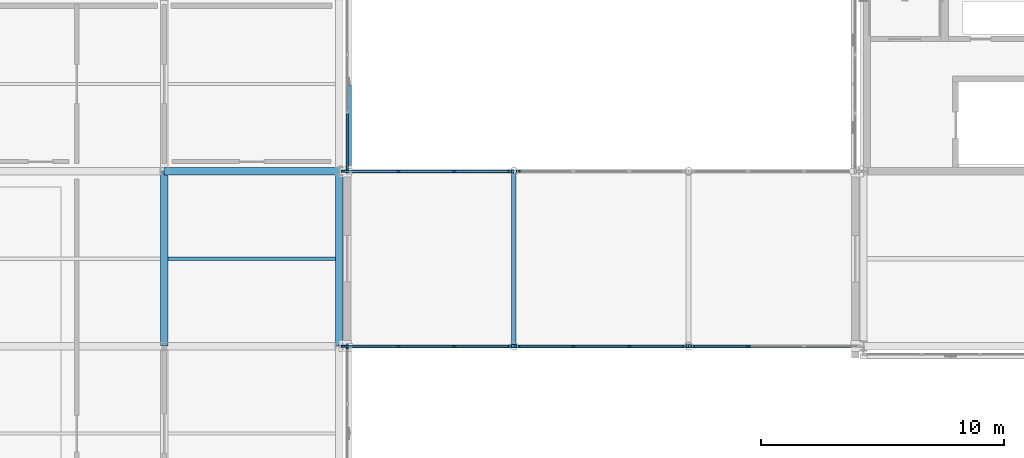
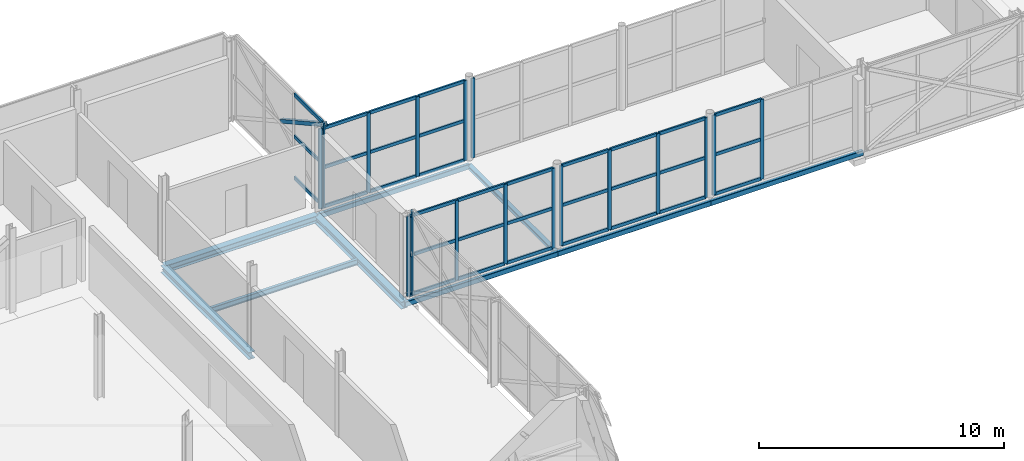
# One storey, part 45 of 126: 51 members, 9 beams, 7 elements without a shape of their own.
"""IFC4 building model written with IfcOpenShell, lengths in metres."""

from ifc_helpers import new_model, si_unit, direction, frame, origin, origin_2d, place, context, subcontext, project, spatial, rectangle, hollow_rectangle, i_section, extrude, material, material_profile, profile_set, type_object, element, aggregate, save


model = new_model("IFC4")

# Units and contexts
model_context = context("Model", 3, precision=1e-05, world=origin(), true_north=direction((0.0, 1.0)))
body_context = subcontext(model_context, "Body", "Model", "MODEL_VIEW")
ifc_project = project(units=[si_unit("LENGTHUNIT", "METRE"), si_unit("AREAUNIT", "SQUARE_METRE"), si_unit("VOLUMEUNIT", "CUBIC_METRE"), si_unit("PLANEANGLEUNIT", "RADIAN"), si_unit("MASSUNIT", "GRAM", prefix="KILO")], contexts=[model_context])

# Site, building, storey
site_placement = place(None, origin())
site = spatial("IfcSite", under=ifc_project, at=site_placement, CompositionType="ELEMENT")
building_placement = place(site_placement, origin())
building = spatial("IfcBuilding", under=site, at=building_placement, Name="Zlatovets Crest Museum", CompositionType="ELEMENT")
storey_placement = place(building_placement, frame((0.0, 0.0, 8.699951171875)))
storey = spatial("IfcBuildingStorey", under=building, at=storey_placement, Name="L02", CompositionType="ELEMENT", Elevation=8.699951171875)

# Beams
ifc_material_1 = material(Name="Structural steel S355J2", Category="steel")
ifc_material_profile_1 = material_profile(ifc_material_1, i_section(OverallWidth=0.300048828125, OverallDepth=0.35009765625, WebThickness=0.010009765625, FlangeThickness=0.017578125, FilletRadius=0.027099609375, at=origin_2d()), Name="HEA 360")
ifc_profile_set_1 = profile_set([ifc_material_profile_1], Name="Structural steel S355J2")
beam_type_1 = type_object("IfcBeamType", Name="Beam_B-03", PredefinedType="BEAM", material=ifc_profile_set_1)
beam_1_placement = place(storey_placement, frame((28.800048828125, 93.60009765625, -0.39501953125), z_axis=(1.0, 0.0, 0.0), x_axis=(0.0, 1.0, 0.0)))
element("IfcBeam", 1, at=beam_1_placement, inside=storey, type_object=beam_type_1, Name="V4 L02 Primary Girder B-03", PredefinedType="BEAM", context=body_context, shape_type="SweptSolid", body=[
    extrude(i_section(OverallWidth=0.300048828125, OverallDepth=0.35009765625, WebThickness=0.010009765625, FlangeThickness=0.017578125, FilletRadius=0.027099609375, at=origin_2d()), origin(), (0.0, 0.0, 1.0), 7.199951171875),
])
for number, where, z_axis, x_axis, name in (
    (2, (28.800048828125, 86.39990234375, -0.39501953125), (0.0, 1.0, 0.0), (-1.0, 0.0, 0.0), "V4 L02 Grid Beam B-03"),
    (3, (36.0, 86.39990234375, -0.39501953125), (0.0, 1.0, 0.0), (-1.0, 0.0, 0.0), "V4 L02 Grid Beam B-03"),
):
    element("IfcBeam", number, at=place(storey_placement, frame(where, z_axis=z_axis, x_axis=x_axis)), inside=storey, type_object=beam_type_1, Name=name, PredefinedType="BEAM", context=body_context, shape_type="SweptSolid", body=[
        extrude(i_section(OverallWidth=0.300048828125, OverallDepth=0.35009765625, WebThickness=0.010009765625, FlangeThickness=0.017578125, FilletRadius=0.027099609375, at=origin_2d()), origin(), (0.0, 0.0, 1.0), 7.2001953125),
    ])
ifc_material_profile_2 = material_profile(ifc_material_1, i_section(OverallWidth=0.199951171875, OverallDepth=0.18994140625, WebThickness=0.006591796875, FlangeThickness=0.010009765625, FilletRadius=0.01806640625, at=origin_2d()), Name="HEA 200")
ifc_profile_set_2 = profile_set([ifc_material_profile_2], Name="Structural steel S355J2")
beam_type_2 = type_object("IfcBeamType", Name="Beam_B-15", PredefinedType="BEAM", material=ifc_profile_set_2)
beam_2_placement = place(storey_placement, frame((43.199951171875, 86.39990234375, -0.344970703125), z_axis=(0.0, 1.0, 0.0), x_axis=(-1.0, 0.0, 0.0)))
element("IfcBeam", 4, at=beam_2_placement, inside=storey, type_object=beam_type_2, Name="Northwest Crest Glazed Link Bridge L02 Cross Beam", PredefinedType="BEAM", context=body_context, shape_type="SweptSolid", body=[
    extrude(i_section(OverallWidth=0.199951171875, OverallDepth=0.18994140625, WebThickness=0.006591796875, FlangeThickness=0.010009765625, FilletRadius=0.01806640625, at=origin_2d()), origin(), (0.0, 0.0, 1.0), 7.2001953125),
])
ifc_material_profile_3 = material_profile(ifc_material_1, hollow_rectangle(XDim=0.14990234375, YDim=0.25, WallThickness=0.010009765625, InnerFilletRadius=0.010009765625, OuterFilletRadius=0.02001953125, at=origin_2d()), Name="RHS 150x250x10.0")
ifc_profile_set_3 = profile_set([ifc_material_profile_3], Name="Structural steel S355J2")
beam_type_3 = type_object("IfcBeamType", Name="Beam_BRG-03", PredefinedType="BEAM", material=ifc_profile_set_3)
for number, where, z_axis, x_axis, name in (
    (5, (36.0, 86.39990234375, -0.344970703125), (1.0, 0.0, 0.0), (0.0, 1.0, 0.0), "Northwest Crest Glazed Link Bridge L02 Stringer Beam"),
    (6, (43.199951171875, 86.39990234375, -0.344970703125), (1.0, 0.0, 0.0), (0.0, 1.0, 0.0), "Northwest Crest Glazed Link Bridge L02 Stringer Beam"),
):
    element("IfcBeam", number, at=place(storey_placement, frame(where, z_axis=z_axis, x_axis=x_axis)), inside=storey, type_object=beam_type_3, Name=name, PredefinedType="BEAM", context=body_context, shape_type="SweptSolid", body=[
        extrude(hollow_rectangle(XDim=0.14990234375, YDim=0.25, WallThickness=0.010009765625, InnerFilletRadius=0.010009765625, OuterFilletRadius=0.02001953125, at=origin_2d()), origin(), (0.0, 0.0, 1.0), 7.199951171875),
    ])
beam_3_placement = place(storey_placement, frame((50.39990234375, 86.39990234375, -0.344970703125), z_axis=(1.0, 0.0, 0.0), x_axis=(0.0, 1.0, 0.0)))
element("IfcBeam", 7, at=beam_3_placement, inside=storey, type_object=beam_type_3, Name="Northwest Crest Glazed Link Bridge L02 Stringer Beam", PredefinedType="BEAM", context=body_context, shape_type="SweptSolid", body=[
    extrude(hollow_rectangle(XDim=0.14990234375, YDim=0.25, WallThickness=0.010009765625, InnerFilletRadius=0.010009765625, OuterFilletRadius=0.02001953125, at=origin_2d()), origin(), (0.0, 0.0, 1.0), 7.2001953125),
])
beam_4_placement = place(storey_placement, frame((36.0, 93.60009765625, -0.344970703125), z_axis=(1.0, 0.0, 0.0), x_axis=(0.0, 1.0, 0.0)))
element("IfcBeam", 8, at=beam_4_placement, inside=storey, type_object=beam_type_3, Name="Northwest Crest Glazed Link Bridge L02 Stringer Beam", PredefinedType="BEAM", context=body_context, shape_type="SweptSolid", body=[
    extrude(hollow_rectangle(XDim=0.14990234375, YDim=0.25, WallThickness=0.010009765625, InnerFilletRadius=0.010009765625, OuterFilletRadius=0.02001953125, at=origin_2d()), origin(), (0.0, 0.0, 1.0), 7.199951171875),
])
ifc_material_profile_4 = material_profile(ifc_material_1, i_section(OverallWidth=0.135009765625, OverallDepth=0.27001953125, WebThickness=0.006591796875, FlangeThickness=0.01025390625, FilletRadius=0.014892578125, at=origin_2d()), Name="IPE 270")
ifc_profile_set_4 = profile_set([ifc_material_profile_4], Name="Structural steel S355J2")
beam_type_4 = type_object("IfcBeamType", Name="Beam_J-03", PredefinedType="JOIST", material=ifc_profile_set_4)
beam_5_placement = place(storey_placement, frame((28.949951171875, 90.0, -0.35498046875), z_axis=(1.0, 0.0, 0.0), x_axis=(0.0, 1.0, 0.0)))
element("IfcBeam", 9, at=beam_5_placement, inside=storey, type_object=beam_type_4, Name="V4 L02 Composite Joist J-03", PredefinedType="JOIST", context=body_context, shape_type="SweptSolid", body=[
    extrude(i_section(OverallWidth=0.135009765625, OverallDepth=0.27001953125, WebThickness=0.006591796875, FlangeThickness=0.01025390625, FilletRadius=0.014892578125, at=origin_2d()), origin(), (0.0, 0.0, 1.0), 6.900146484375),
])

# Curtain wall, member
ifc_material_2 = material(Name="Bronze-anodised aluminium and low-E triple glass", Category="aluminium")
curtain_wall_type_1 = type_object("IfcCurtainWallType", Name="CW_CW-V4-L02-M0", PredefinedType="NOTDEFINED", material=ifc_material_2)
curtain_wall_1_placement = place(storey_placement, origin())
curtain_wall_1 = element("IfcCurtainWall", 10, at=curtain_wall_1_placement, inside=storey, type_object=curtain_wall_type_1, Name="V4 L02 Secession Foyer Clear Curtain Wall", PredefinedType="NOTDEFINED")
ifc_material_3 = material(Name="Bronze-anodised aluminium EN AW-6060", Category="aluminium")
ifc_material_profile_5 = material_profile(ifc_material_3, rectangle(XDim=0.080078125, YDim=0.159912109375, at=origin_2d()), Name="ALU 80x160")
ifc_profile_set_5 = profile_set([ifc_material_profile_5], Name="Bronze-anodised aluminium EN AW-6060")
member_type_1 = type_object("IfcMemberType", Name="CWMull_M1", PredefinedType="MULLION", material=ifc_profile_set_5)
member_1_placement = place(storey_placement, frame((36.340087890625, 86.3701171875, 0.0), z_axis=(0.0, 0.0, 1.0), x_axis=(-1.0, 0.0, 0.0)))
member_1 = element("IfcMember", 11, at=member_1_placement, type_object=member_type_1, Name="CW-V4-L02-M0 mullion 4", PredefinedType="MULLION", context=body_context, shape_type="SweptSolid", body=[
    extrude(rectangle(XDim=0.080078125, YDim=0.159912109375, at=origin_2d()), origin(), (0.0, 0.0, 1.0), 4.199951171875),
])
aggregate(curtain_wall_1, [member_1])

curtain_wall_type_2 = type_object("IfcCurtainWallType", Name="CW_CW-V4-L02-M2", PredefinedType="NOTDEFINED", material=ifc_material_2)
curtain_wall_2_placement = place(storey_placement, origin())
curtain_wall_2 = element("IfcCurtainWall", 12, at=curtain_wall_2_placement, inside=storey, type_object=curtain_wall_type_2, Name="V4 L02 Secession Foyer Clear Curtain Wall", PredefinedType="NOTDEFINED")
member_2_placement = place(storey_placement, frame((36.340087890625, 93.6298828125, 0.0), z_axis=(0.0, 0.0, 1.0), x_axis=(-1.0, 0.0, 0.0)))
member_2 = element("IfcMember", 13, at=member_2_placement, type_object=member_type_1, Name="CW-V4-L02-M2 mullion 1", PredefinedType="MULLION", context=body_context, shape_type="SweptSolid", body=[
    extrude(rectangle(XDim=0.080078125, YDim=0.159912109375, at=origin_2d()), origin(), (0.0, 0.0, 1.0), 4.199951171875),
])

# Curtain wall, members
curtain_wall_type_3 = type_object("IfcCurtainWallType", Name="CW_CW-BR3-L02-S69", PredefinedType="NOTDEFINED", material=ifc_material_2)
curtain_wall_3_placement = place(storey_placement, origin())
curtain_wall_3 = element("IfcCurtainWall", 14, at=curtain_wall_3_placement, inside=storey, type_object=curtain_wall_type_3, Name="Northwest Crest Glazed Link Bridge L02 Glazed Bridge Curtain Wall", PredefinedType="NOTDEFINED")
member_3_placement = place(storey_placement, frame((36.179931640625, 86.39990234375, 0.0), z_axis=(0.0, 0.0, 1.0), x_axis=(0.0, 1.0, 0.0)))
member_3 = element("IfcMember", 15, at=member_3_placement, type_object=member_type_1, Name="CW-BR3-L02-S69 mullion 1", PredefinedType="MULLION", context=body_context, shape_type="SweptSolid", body=[
    extrude(rectangle(XDim=0.080078125, YDim=0.159912109375, at=origin_2d()), origin(), (0.0, 0.0, 1.0), 3.97998046875),
])
member_4_placement = place(storey_placement, frame((38.449951171875, 86.39990234375, 0.0), z_axis=(0.0, 0.0, 1.0), x_axis=(0.0, 1.0, 0.0)))
member_4 = element("IfcMember", 16, at=member_4_placement, type_object=member_type_1, Name="CW-BR3-L02-S69 mullion 2", PredefinedType="MULLION", context=body_context, shape_type="SweptSolid", body=[
    extrude(rectangle(XDim=0.080078125, YDim=0.159912109375, at=origin_2d()), origin(), (0.0, 0.0, 1.0), 3.97998046875),
])
member_5_placement = place(storey_placement, frame((40.75, 86.39990234375, 0.0), z_axis=(0.0, 0.0, 1.0), x_axis=(0.0, 1.0, 0.0)))
member_5 = element("IfcMember", 17, at=member_5_placement, type_object=member_type_1, Name="CW-BR3-L02-S69 mullion 3", PredefinedType="MULLION", context=body_context, shape_type="SweptSolid", body=[
    extrude(rectangle(XDim=0.080078125, YDim=0.159912109375, at=origin_2d()), origin(), (0.0, 0.0, 1.0), 3.97998046875),
])
member_6_placement = place(storey_placement, frame((43.02001953125, 86.39990234375, 0.0), z_axis=(0.0, 0.0, 1.0), x_axis=(0.0, 1.0, 0.0)))
member_6 = element("IfcMember", 18, at=member_6_placement, type_object=member_type_1, Name="CW-BR3-L02-S69 mullion 4", PredefinedType="MULLION", context=body_context, shape_type="SweptSolid", body=[
    extrude(rectangle(XDim=0.080078125, YDim=0.159912109375, at=origin_2d()), origin(), (0.0, 0.0, 1.0), 3.97998046875),
])

curtain_wall_4_placement = place(storey_placement, origin())
curtain_wall_4 = element("IfcCurtainWall", 19, at=curtain_wall_4_placement, inside=storey, type_object=curtain_wall_type_3, Name="Northwest Crest Glazed Link Bridge L02 Glazed Bridge Curtain Wall", PredefinedType="NOTDEFINED")
member_7_placement = place(storey_placement, frame((43.3798828125, 86.39990234375, 0.0), z_axis=(0.0, 0.0, 1.0), x_axis=(0.0, 1.0, 0.0)))
member_7 = element("IfcMember", 20, at=member_7_placement, type_object=member_type_1, Name="CW-BR3-L02-S69 mullion 1", PredefinedType="MULLION", context=body_context, shape_type="SweptSolid", body=[
    extrude(rectangle(XDim=0.080078125, YDim=0.159912109375, at=origin_2d()), origin(), (0.0, 0.0, 1.0), 3.97998046875),
])
member_8_placement = place(storey_placement, frame((45.64990234375, 86.39990234375, 0.0), z_axis=(0.0, 0.0, 1.0), x_axis=(0.0, 1.0, 0.0)))
member_8 = element("IfcMember", 21, at=member_8_placement, type_object=member_type_1, Name="CW-BR3-L02-S69 mullion 2", PredefinedType="MULLION", context=body_context, shape_type="SweptSolid", body=[
    extrude(rectangle(XDim=0.080078125, YDim=0.159912109375, at=origin_2d()), origin(), (0.0, 0.0, 1.0), 3.97998046875),
])
member_9_placement = place(storey_placement, frame((47.949951171875, 86.39990234375, 0.0), z_axis=(0.0, 0.0, 1.0), x_axis=(0.0, 1.0, 0.0)))
member_9 = element("IfcMember", 22, at=member_9_placement, type_object=member_type_1, Name="CW-BR3-L02-S69 mullion 3", PredefinedType="MULLION", context=body_context, shape_type="SweptSolid", body=[
    extrude(rectangle(XDim=0.080078125, YDim=0.159912109375, at=origin_2d()), origin(), (0.0, 0.0, 1.0), 3.97998046875),
])
member_10_placement = place(storey_placement, frame((50.219970703125, 86.39990234375, 0.0), z_axis=(0.0, 0.0, 1.0), x_axis=(0.0, 1.0, 0.0)))
member_10 = element("IfcMember", 23, at=member_10_placement, type_object=member_type_1, Name="CW-BR3-L02-S69 mullion 4", PredefinedType="MULLION", context=body_context, shape_type="SweptSolid", body=[
    extrude(rectangle(XDim=0.080078125, YDim=0.159912109375, at=origin_2d()), origin(), (0.0, 0.0, 1.0), 3.97998046875),
])

curtain_wall_5_placement = place(storey_placement, origin())
curtain_wall_5 = element("IfcCurtainWall", 24, at=curtain_wall_5_placement, inside=storey, type_object=curtain_wall_type_3, Name="Northwest Crest Glazed Link Bridge L02 Glazed Bridge Curtain Wall", PredefinedType="NOTDEFINED")
member_11_placement = place(storey_placement, frame((50.580078125, 86.39990234375, 0.0), z_axis=(0.0, 0.0, 1.0), x_axis=(0.0, 1.0, 0.0)))
member_11 = element("IfcMember", 25, at=member_11_placement, type_object=member_type_1, Name="CW-BR3-L02-S69 mullion 1", PredefinedType="MULLION", context=body_context, shape_type="SweptSolid", body=[
    extrude(rectangle(XDim=0.080078125, YDim=0.159912109375, at=origin_2d()), origin(), (0.0, 0.0, 1.0), 3.97998046875),
])
member_12_placement = place(storey_placement, frame((52.85009765625, 86.39990234375, 0.0), z_axis=(0.0, 0.0, 1.0), x_axis=(0.0, 1.0, 0.0)))
member_12 = element("IfcMember", 26, at=member_12_placement, type_object=member_type_1, Name="CW-BR3-L02-S69 mullion 2", PredefinedType="MULLION", context=body_context, shape_type="SweptSolid", body=[
    extrude(rectangle(XDim=0.080078125, YDim=0.159912109375, at=origin_2d()), origin(), (0.0, 0.0, 1.0), 3.97998046875),
])

curtain_wall_6_placement = place(storey_placement, origin())
curtain_wall_6 = element("IfcCurtainWall", 27, at=curtain_wall_6_placement, inside=storey, type_object=curtain_wall_type_3, Name="Northwest Crest Glazed Link Bridge L02 Glazed Bridge Curtain Wall", PredefinedType="NOTDEFINED")
member_13_placement = place(storey_placement, frame((36.179931640625, 93.60009765625, 0.0), z_axis=(0.0, 0.0, 1.0), x_axis=(0.0, 1.0, 0.0)))
member_13 = element("IfcMember", 28, at=member_13_placement, type_object=member_type_1, Name="CW-BR3-L02-S69 mullion 1", PredefinedType="MULLION", context=body_context, shape_type="SweptSolid", body=[
    extrude(rectangle(XDim=0.080078125, YDim=0.159912109375, at=origin_2d()), origin(), (0.0, 0.0, 1.0), 3.97998046875),
])
member_14_placement = place(storey_placement, frame((38.449951171875, 93.60009765625, 0.0), z_axis=(0.0, 0.0, 1.0), x_axis=(0.0, 1.0, 0.0)))
member_14 = element("IfcMember", 29, at=member_14_placement, type_object=member_type_1, Name="CW-BR3-L02-S69 mullion 2", PredefinedType="MULLION", context=body_context, shape_type="SweptSolid", body=[
    extrude(rectangle(XDim=0.080078125, YDim=0.159912109375, at=origin_2d()), origin(), (0.0, 0.0, 1.0), 3.97998046875),
])
member_15_placement = place(storey_placement, frame((40.75, 93.60009765625, 0.0), z_axis=(0.0, 0.0, 1.0), x_axis=(0.0, 1.0, 0.0)))
member_15 = element("IfcMember", 30, at=member_15_placement, type_object=member_type_1, Name="CW-BR3-L02-S69 mullion 3", PredefinedType="MULLION", context=body_context, shape_type="SweptSolid", body=[
    extrude(rectangle(XDim=0.080078125, YDim=0.159912109375, at=origin_2d()), origin(), (0.0, 0.0, 1.0), 3.97998046875),
])
member_16_placement = place(storey_placement, frame((43.02001953125, 93.60009765625, 0.0), z_axis=(0.0, 0.0, 1.0), x_axis=(0.0, 1.0, 0.0)))
member_16 = element("IfcMember", 31, at=member_16_placement, type_object=member_type_1, Name="CW-BR3-L02-S69 mullion 4", PredefinedType="MULLION", context=body_context, shape_type="SweptSolid", body=[
    extrude(rectangle(XDim=0.080078125, YDim=0.159912109375, at=origin_2d()), origin(), (0.0, 0.0, 1.0), 3.97998046875),
])

# Curtain wall, member
curtain_wall_7_placement = place(storey_placement, origin())
curtain_wall_7 = element("IfcCurtainWall", 32, at=curtain_wall_7_placement, inside=storey, type_object=curtain_wall_type_3, Name="Northwest Crest Glazed Link Bridge L02 Glazed Bridge Curtain Wall", PredefinedType="NOTDEFINED")
member_17_placement = place(storey_placement, frame((43.3798828125, 93.60009765625, 0.0), z_axis=(0.0, 0.0, 1.0), x_axis=(0.0, 1.0, 0.0)))
member_17 = element("IfcMember", 33, at=member_17_placement, type_object=member_type_1, Name="CW-BR3-L02-S69 mullion 1", PredefinedType="MULLION", context=body_context, shape_type="SweptSolid", body=[
    extrude(rectangle(XDim=0.080078125, YDim=0.159912109375, at=origin_2d()), origin(), (0.0, 0.0, 1.0), 3.97998046875),
])
aggregate(curtain_wall_7, [member_17])

# Member
ifc_material_profile_6 = material_profile(ifc_material_3, rectangle(XDim=0.080078125, YDim=0.159912109375, at=origin_2d()), Name="ALU 80x160")
ifc_profile_set_6 = profile_set([ifc_material_profile_6], Name="Bronze-anodised aluminium EN AW-6060")
member_type_2 = type_object("IfcMemberType", Name="CWTrans_T1", PredefinedType="USERDEFINED", material=ifc_profile_set_6)
member_18_placement = place(storey_placement, frame((36.340087890625, 93.659912109375, 0.030029296875), z_axis=(0.0, 1.0, 0.0), x_axis=(-1.0, 0.0, 0.0)))
member_18 = element("IfcMember", 34, at=member_18_placement, type_object=member_type_2, Name="CW-V4-L02-M2 transom 1.1", ObjectType="TRANSOM", PredefinedType="USERDEFINED", context=body_context, shape_type="SweptSolid", body=[
    extrude(rectangle(XDim=0.080078125, YDim=0.159912109375, at=origin_2d()), origin(), (0.0, 0.0, 1.0), 2.31005859375),
])

member_19_placement = place(storey_placement, frame((36.340087890625, 93.659912109375, 2.10009765625), z_axis=(0.0, 1.0, 0.0), x_axis=(-1.0, 0.0, 0.0)))
member_19 = element("IfcMember", 35, at=member_19_placement, type_object=member_type_2, Name="CW-V4-L02-M2 transom 1.2", ObjectType="TRANSOM", PredefinedType="USERDEFINED", context=body_context, shape_type="SweptSolid", body=[
    extrude(rectangle(XDim=0.080078125, YDim=0.159912109375, at=origin_2d()), origin(), (0.0, 0.0, 1.0), 2.31005859375),
])

member_20_placement = place(storey_placement, frame((36.340087890625, 93.659912109375, 4.170166015625), z_axis=(0.0, 1.0, 0.0), x_axis=(-1.0, 0.0, 0.0)))
member_20 = element("IfcMember", 36, at=member_20_placement, type_object=member_type_2, Name="CW-V4-L02-M2 transom 1.3", ObjectType="TRANSOM", PredefinedType="USERDEFINED", context=body_context, shape_type="SweptSolid", body=[
    extrude(rectangle(XDim=0.080078125, YDim=0.159912109375, at=origin_2d()), origin(), (0.0, 0.0, 1.0), 2.31005859375),
])

aggregate(curtain_wall_2, [member_2, member_18, member_19, member_20])

member_21_placement = place(storey_placement, frame((36.2099609375, 86.39990234375, 0.030029296875), z_axis=(1.0, 0.0, 0.0), x_axis=(0.0, 1.0, 0.0)))
member_21 = element("IfcMember", 37, at=member_21_placement, type_object=member_type_2, Name="CW-BR3-L02-S69 transom 1.1", ObjectType="TRANSOM", PredefinedType="USERDEFINED", context=body_context, shape_type="SweptSolid", body=[
    extrude(rectangle(XDim=0.080078125, YDim=0.159912109375, at=origin_2d()), origin(), (0.0, 0.0, 1.0), 2.2099609375),
])

member_22_placement = place(storey_placement, frame((36.2099609375, 86.39990234375, 1.989990234375), z_axis=(1.0, 0.0, 0.0), x_axis=(0.0, 1.0, 0.0)))
member_22 = element("IfcMember", 38, at=member_22_placement, type_object=member_type_2, Name="CW-BR3-L02-S69 transom 1.2", ObjectType="TRANSOM", PredefinedType="USERDEFINED", context=body_context, shape_type="SweptSolid", body=[
    extrude(rectangle(XDim=0.080078125, YDim=0.159912109375, at=origin_2d()), origin(), (0.0, 0.0, 1.0), 2.2099609375),
])

member_23_placement = place(storey_placement, frame((36.2099609375, 86.39990234375, 3.949951171875), z_axis=(1.0, 0.0, 0.0), x_axis=(0.0, 1.0, 0.0)))
member_23 = element("IfcMember", 39, at=member_23_placement, type_object=member_type_2, Name="CW-BR3-L02-S69 transom 1.3", ObjectType="TRANSOM", PredefinedType="USERDEFINED", context=body_context, shape_type="SweptSolid", body=[
    extrude(rectangle(XDim=0.080078125, YDim=0.159912109375, at=origin_2d()), origin(), (0.0, 0.0, 1.0), 2.2099609375),
])

member_24_placement = place(storey_placement, frame((38.47998046875, 86.39990234375, 0.030029296875), z_axis=(1.0, 0.0, 0.0), x_axis=(0.0, 1.0, 0.0)))
member_24 = element("IfcMember", 40, at=member_24_placement, type_object=member_type_2, Name="CW-BR3-L02-S69 transom 2.1", ObjectType="TRANSOM", PredefinedType="USERDEFINED", context=body_context, shape_type="SweptSolid", body=[
    extrude(rectangle(XDim=0.080078125, YDim=0.159912109375, at=origin_2d()), origin(), (0.0, 0.0, 1.0), 2.239990234375),
])

member_25_placement = place(storey_placement, frame((38.47998046875, 86.39990234375, 1.989990234375), z_axis=(1.0, 0.0, 0.0), x_axis=(0.0, 1.0, 0.0)))
member_25 = element("IfcMember", 41, at=member_25_placement, type_object=member_type_2, Name="CW-BR3-L02-S69 transom 2.2", ObjectType="TRANSOM", PredefinedType="USERDEFINED", context=body_context, shape_type="SweptSolid", body=[
    extrude(rectangle(XDim=0.080078125, YDim=0.159912109375, at=origin_2d()), origin(), (0.0, 0.0, 1.0), 2.239990234375),
])

member_26_placement = place(storey_placement, frame((38.47998046875, 86.39990234375, 3.949951171875), z_axis=(1.0, 0.0, 0.0), x_axis=(0.0, 1.0, 0.0)))
member_26 = element("IfcMember", 42, at=member_26_placement, type_object=member_type_2, Name="CW-BR3-L02-S69 transom 2.3", ObjectType="TRANSOM", PredefinedType="USERDEFINED", context=body_context, shape_type="SweptSolid", body=[
    extrude(rectangle(XDim=0.080078125, YDim=0.159912109375, at=origin_2d()), origin(), (0.0, 0.0, 1.0), 2.239990234375),
])

member_27_placement = place(storey_placement, frame((40.780029296875, 86.39990234375, 0.030029296875), z_axis=(1.0, 0.0, 0.0), x_axis=(0.0, 1.0, 0.0)))
member_27 = element("IfcMember", 43, at=member_27_placement, type_object=member_type_2, Name="CW-BR3-L02-S69 transom 3.1", ObjectType="TRANSOM", PredefinedType="USERDEFINED", context=body_context, shape_type="SweptSolid", body=[
    extrude(rectangle(XDim=0.080078125, YDim=0.159912109375, at=origin_2d()), origin(), (0.0, 0.0, 1.0), 2.2099609375),
])

member_28_placement = place(storey_placement, frame((40.780029296875, 86.39990234375, 1.989990234375), z_axis=(1.0, 0.0, 0.0), x_axis=(0.0, 1.0, 0.0)))
member_28 = element("IfcMember", 44, at=member_28_placement, type_object=member_type_2, Name="CW-BR3-L02-S69 transom 3.2", ObjectType="TRANSOM", PredefinedType="USERDEFINED", context=body_context, shape_type="SweptSolid", body=[
    extrude(rectangle(XDim=0.080078125, YDim=0.159912109375, at=origin_2d()), origin(), (0.0, 0.0, 1.0), 2.2099609375),
])

member_29_placement = place(storey_placement, frame((40.780029296875, 86.39990234375, 3.949951171875), z_axis=(1.0, 0.0, 0.0), x_axis=(0.0, 1.0, 0.0)))
member_29 = element("IfcMember", 45, at=member_29_placement, type_object=member_type_2, Name="CW-BR3-L02-S69 transom 3.3", ObjectType="TRANSOM", PredefinedType="USERDEFINED", context=body_context, shape_type="SweptSolid", body=[
    extrude(rectangle(XDim=0.080078125, YDim=0.159912109375, at=origin_2d()), origin(), (0.0, 0.0, 1.0), 2.2099609375),
])

aggregate(curtain_wall_3, [member_3, member_4, member_5, member_6, member_21, member_22, member_23, member_24, member_25, member_26, member_27, member_28, member_29])

member_30_placement = place(storey_placement, frame((43.409912109375, 86.39990234375, 0.030029296875), z_axis=(1.0, 0.0, 0.0), x_axis=(0.0, 1.0, 0.0)))
member_30 = element("IfcMember", 46, at=member_30_placement, type_object=member_type_2, Name="CW-BR3-L02-S69 transom 1.1", ObjectType="TRANSOM", PredefinedType="USERDEFINED", context=body_context, shape_type="SweptSolid", body=[
    extrude(rectangle(XDim=0.080078125, YDim=0.159912109375, at=origin_2d()), origin(), (0.0, 0.0, 1.0), 2.210205078125),
])

member_31_placement = place(storey_placement, frame((43.409912109375, 86.39990234375, 1.989990234375), z_axis=(1.0, 0.0, 0.0), x_axis=(0.0, 1.0, 0.0)))
member_31 = element("IfcMember", 47, at=member_31_placement, type_object=member_type_2, Name="CW-BR3-L02-S69 transom 1.2", ObjectType="TRANSOM", PredefinedType="USERDEFINED", context=body_context, shape_type="SweptSolid", body=[
    extrude(rectangle(XDim=0.080078125, YDim=0.159912109375, at=origin_2d()), origin(), (0.0, 0.0, 1.0), 2.210205078125),
])

member_32_placement = place(storey_placement, frame((43.409912109375, 86.39990234375, 3.949951171875), z_axis=(1.0, 0.0, 0.0), x_axis=(0.0, 1.0, 0.0)))
member_32 = element("IfcMember", 48, at=member_32_placement, type_object=member_type_2, Name="CW-BR3-L02-S69 transom 1.3", ObjectType="TRANSOM", PredefinedType="USERDEFINED", context=body_context, shape_type="SweptSolid", body=[
    extrude(rectangle(XDim=0.080078125, YDim=0.159912109375, at=origin_2d()), origin(), (0.0, 0.0, 1.0), 2.210205078125),
])

member_33_placement = place(storey_placement, frame((45.679931640625, 86.39990234375, 0.030029296875), z_axis=(1.0, 0.0, 0.0), x_axis=(0.0, 1.0, 0.0)))
member_33 = element("IfcMember", 49, at=member_33_placement, type_object=member_type_2, Name="CW-BR3-L02-S69 transom 2.1", ObjectType="TRANSOM", PredefinedType="USERDEFINED", context=body_context, shape_type="SweptSolid", body=[
    extrude(rectangle(XDim=0.080078125, YDim=0.159912109375, at=origin_2d()), origin(), (0.0, 0.0, 1.0), 2.239990234375),
])

member_34_placement = place(storey_placement, frame((45.679931640625, 86.39990234375, 1.989990234375), z_axis=(1.0, 0.0, 0.0), x_axis=(0.0, 1.0, 0.0)))
member_34 = element("IfcMember", 50, at=member_34_placement, type_object=member_type_2, Name="CW-BR3-L02-S69 transom 2.2", ObjectType="TRANSOM", PredefinedType="USERDEFINED", context=body_context, shape_type="SweptSolid", body=[
    extrude(rectangle(XDim=0.080078125, YDim=0.159912109375, at=origin_2d()), origin(), (0.0, 0.0, 1.0), 2.239990234375),
])

member_35_placement = place(storey_placement, frame((45.679931640625, 86.39990234375, 3.949951171875), z_axis=(1.0, 0.0, 0.0), x_axis=(0.0, 1.0, 0.0)))
member_35 = element("IfcMember", 51, at=member_35_placement, type_object=member_type_2, Name="CW-BR3-L02-S69 transom 2.3", ObjectType="TRANSOM", PredefinedType="USERDEFINED", context=body_context, shape_type="SweptSolid", body=[
    extrude(rectangle(XDim=0.080078125, YDim=0.159912109375, at=origin_2d()), origin(), (0.0, 0.0, 1.0), 2.239990234375),
])

member_36_placement = place(storey_placement, frame((47.97998046875, 86.39990234375, 0.030029296875), z_axis=(1.0, 0.0, 0.0), x_axis=(0.0, 1.0, 0.0)))
member_36 = element("IfcMember", 52, at=member_36_placement, type_object=member_type_2, Name="CW-BR3-L02-S69 transom 3.1", ObjectType="TRANSOM", PredefinedType="USERDEFINED", context=body_context, shape_type="SweptSolid", body=[
    extrude(rectangle(XDim=0.080078125, YDim=0.159912109375, at=origin_2d()), origin(), (0.0, 0.0, 1.0), 2.2099609375),
])

member_37_placement = place(storey_placement, frame((47.97998046875, 86.39990234375, 1.989990234375), z_axis=(1.0, 0.0, 0.0), x_axis=(0.0, 1.0, 0.0)))
member_37 = element("IfcMember", 53, at=member_37_placement, type_object=member_type_2, Name="CW-BR3-L02-S69 transom 3.2", ObjectType="TRANSOM", PredefinedType="USERDEFINED", context=body_context, shape_type="SweptSolid", body=[
    extrude(rectangle(XDim=0.080078125, YDim=0.159912109375, at=origin_2d()), origin(), (0.0, 0.0, 1.0), 2.2099609375),
])

member_38_placement = place(storey_placement, frame((47.97998046875, 86.39990234375, 3.949951171875), z_axis=(1.0, 0.0, 0.0), x_axis=(0.0, 1.0, 0.0)))
member_38 = element("IfcMember", 54, at=member_38_placement, type_object=member_type_2, Name="CW-BR3-L02-S69 transom 3.3", ObjectType="TRANSOM", PredefinedType="USERDEFINED", context=body_context, shape_type="SweptSolid", body=[
    extrude(rectangle(XDim=0.080078125, YDim=0.159912109375, at=origin_2d()), origin(), (0.0, 0.0, 1.0), 2.2099609375),
])

aggregate(curtain_wall_4, [member_7, member_8, member_9, member_10, member_30, member_31, member_32, member_33, member_34, member_35, member_36, member_37, member_38])

member_39_placement = place(storey_placement, frame((50.610107421875, 86.39990234375, 0.030029296875), z_axis=(1.0, 0.0, 0.0), x_axis=(0.0, 1.0, 0.0)))
member_39 = element("IfcMember", 55, at=member_39_placement, type_object=member_type_2, Name="CW-BR3-L02-S69 transom 1.1", ObjectType="TRANSOM", PredefinedType="USERDEFINED", context=body_context, shape_type="SweptSolid", body=[
    extrude(rectangle(XDim=0.080078125, YDim=0.159912109375, at=origin_2d()), origin(), (0.0, 0.0, 1.0), 2.2099609375),
])

member_40_placement = place(storey_placement, frame((50.610107421875, 86.39990234375, 1.989990234375), z_axis=(1.0, 0.0, 0.0), x_axis=(0.0, 1.0, 0.0)))
member_40 = element("IfcMember", 56, at=member_40_placement, type_object=member_type_2, Name="CW-BR3-L02-S69 transom 1.2", ObjectType="TRANSOM", PredefinedType="USERDEFINED", context=body_context, shape_type="SweptSolid", body=[
    extrude(rectangle(XDim=0.080078125, YDim=0.159912109375, at=origin_2d()), origin(), (0.0, 0.0, 1.0), 2.2099609375),
])

member_41_placement = place(storey_placement, frame((50.610107421875, 86.39990234375, 3.949951171875), z_axis=(1.0, 0.0, 0.0), x_axis=(0.0, 1.0, 0.0)))
member_41 = element("IfcMember", 57, at=member_41_placement, type_object=member_type_2, Name="CW-BR3-L02-S69 transom 1.3", ObjectType="TRANSOM", PredefinedType="USERDEFINED", context=body_context, shape_type="SweptSolid", body=[
    extrude(rectangle(XDim=0.080078125, YDim=0.159912109375, at=origin_2d()), origin(), (0.0, 0.0, 1.0), 2.2099609375),
])

aggregate(curtain_wall_5, [member_11, member_12, member_39, member_40, member_41])

member_42_placement = place(storey_placement, frame((36.2099609375, 93.60009765625, 0.030029296875), z_axis=(1.0, 0.0, 0.0), x_axis=(0.0, 1.0, 0.0)))
member_42 = element("IfcMember", 58, at=member_42_placement, type_object=member_type_2, Name="CW-BR3-L02-S69 transom 1.1", ObjectType="TRANSOM", PredefinedType="USERDEFINED", context=body_context, shape_type="SweptSolid", body=[
    extrude(rectangle(XDim=0.080078125, YDim=0.159912109375, at=origin_2d()), origin(), (0.0, 0.0, 1.0), 2.2099609375),
])

member_43_placement = place(storey_placement, frame((36.2099609375, 93.60009765625, 1.989990234375), z_axis=(1.0, 0.0, 0.0), x_axis=(0.0, 1.0, 0.0)))
member_43 = element("IfcMember", 59, at=member_43_placement, type_object=member_type_2, Name="CW-BR3-L02-S69 transom 1.2", ObjectType="TRANSOM", PredefinedType="USERDEFINED", context=body_context, shape_type="SweptSolid", body=[
    extrude(rectangle(XDim=0.080078125, YDim=0.159912109375, at=origin_2d()), origin(), (0.0, 0.0, 1.0), 2.2099609375),
])

member_44_placement = place(storey_placement, frame((36.2099609375, 93.60009765625, 3.949951171875), z_axis=(1.0, 0.0, 0.0), x_axis=(0.0, 1.0, 0.0)))
member_44 = element("IfcMember", 60, at=member_44_placement, type_object=member_type_2, Name="CW-BR3-L02-S69 transom 1.3", ObjectType="TRANSOM", PredefinedType="USERDEFINED", context=body_context, shape_type="SweptSolid", body=[
    extrude(rectangle(XDim=0.080078125, YDim=0.159912109375, at=origin_2d()), origin(), (0.0, 0.0, 1.0), 2.2099609375),
])

member_45_placement = place(storey_placement, frame((38.47998046875, 93.60009765625, 0.030029296875), z_axis=(1.0, 0.0, 0.0), x_axis=(0.0, 1.0, 0.0)))
member_45 = element("IfcMember", 61, at=member_45_placement, type_object=member_type_2, Name="CW-BR3-L02-S69 transom 2.1", ObjectType="TRANSOM", PredefinedType="USERDEFINED", context=body_context, shape_type="SweptSolid", body=[
    extrude(rectangle(XDim=0.080078125, YDim=0.159912109375, at=origin_2d()), origin(), (0.0, 0.0, 1.0), 2.239990234375),
])

member_46_placement = place(storey_placement, frame((38.47998046875, 93.60009765625, 1.989990234375), z_axis=(1.0, 0.0, 0.0), x_axis=(0.0, 1.0, 0.0)))
member_46 = element("IfcMember", 62, at=member_46_placement, type_object=member_type_2, Name="CW-BR3-L02-S69 transom 2.2", ObjectType="TRANSOM", PredefinedType="USERDEFINED", context=body_context, shape_type="SweptSolid", body=[
    extrude(rectangle(XDim=0.080078125, YDim=0.159912109375, at=origin_2d()), origin(), (0.0, 0.0, 1.0), 2.239990234375),
])

member_47_placement = place(storey_placement, frame((38.47998046875, 93.60009765625, 3.949951171875), z_axis=(1.0, 0.0, 0.0), x_axis=(0.0, 1.0, 0.0)))
member_47 = element("IfcMember", 63, at=member_47_placement, type_object=member_type_2, Name="CW-BR3-L02-S69 transom 2.3", ObjectType="TRANSOM", PredefinedType="USERDEFINED", context=body_context, shape_type="SweptSolid", body=[
    extrude(rectangle(XDim=0.080078125, YDim=0.159912109375, at=origin_2d()), origin(), (0.0, 0.0, 1.0), 2.239990234375),
])

member_48_placement = place(storey_placement, frame((40.780029296875, 93.60009765625, 0.030029296875), z_axis=(1.0, 0.0, 0.0), x_axis=(0.0, 1.0, 0.0)))
member_48 = element("IfcMember", 64, at=member_48_placement, type_object=member_type_2, Name="CW-BR3-L02-S69 transom 3.1", ObjectType="TRANSOM", PredefinedType="USERDEFINED", context=body_context, shape_type="SweptSolid", body=[
    extrude(rectangle(XDim=0.080078125, YDim=0.159912109375, at=origin_2d()), origin(), (0.0, 0.0, 1.0), 2.2099609375),
])

member_49_placement = place(storey_placement, frame((40.780029296875, 93.60009765625, 1.989990234375), z_axis=(1.0, 0.0, 0.0), x_axis=(0.0, 1.0, 0.0)))
member_49 = element("IfcMember", 65, at=member_49_placement, type_object=member_type_2, Name="CW-BR3-L02-S69 transom 3.2", ObjectType="TRANSOM", PredefinedType="USERDEFINED", context=body_context, shape_type="SweptSolid", body=[
    extrude(rectangle(XDim=0.080078125, YDim=0.159912109375, at=origin_2d()), origin(), (0.0, 0.0, 1.0), 2.2099609375),
])

member_50_placement = place(storey_placement, frame((40.780029296875, 93.60009765625, 3.949951171875), z_axis=(1.0, 0.0, 0.0), x_axis=(0.0, 1.0, 0.0)))
member_50 = element("IfcMember", 66, at=member_50_placement, type_object=member_type_2, Name="CW-BR3-L02-S69 transom 3.3", ObjectType="TRANSOM", PredefinedType="USERDEFINED", context=body_context, shape_type="SweptSolid", body=[
    extrude(rectangle(XDim=0.080078125, YDim=0.159912109375, at=origin_2d()), origin(), (0.0, 0.0, 1.0), 2.2099609375),
])

aggregate(curtain_wall_6, [member_13, member_14, member_15, member_16, member_42, member_43, member_44, member_45, member_46, member_47, member_48, member_49, member_50])

ifc_material_4 = material(Name="Weathering bronze-steel S355J2W", Category="steel")
ifc_material_profile_7 = material_profile(ifc_material_4, hollow_rectangle(XDim=0.199951171875, YDim=0.199951171875, WallThickness=0.012451171875, InnerFilletRadius=0.012451171875, OuterFilletRadius=0.02490234375, at=origin_2d()), Name="SHS 200x200x12.5")
ifc_profile_set_7 = profile_set([ifc_material_profile_7], Name="Weathering bronze-steel S355J2W")
member_type_3 = type_object("IfcMemberType", Name="Lattice_XL-02", PredefinedType="BRACE", material=ifc_profile_set_7)
member_51_placement = place(storey_placement, frame((36.419921875, 93.60009765625, 4.10009765625), z_axis=(0.0, 0.874151551165, -0.485653235958), x_axis=(-1.0, 0.0, 0.0)))
element("IfcMember", 67, at=member_51_placement, inside=storey, type_object=member_type_3, Name="Split Crossing Bronze Lattice Diagonal Upper", PredefinedType="BRACE", context=body_context, shape_type="SweptSolid", body=[
    extrude(hollow_rectangle(XDim=0.199951171875, YDim=0.199951171875, WallThickness=0.012451171875, InnerFilletRadius=0.012451171875, OuterFilletRadius=0.02490234375, at=origin_2d()), origin(), (0.0, 0.0, 1.0), 4.023193359375),
])

save(model, "model.ifc")
